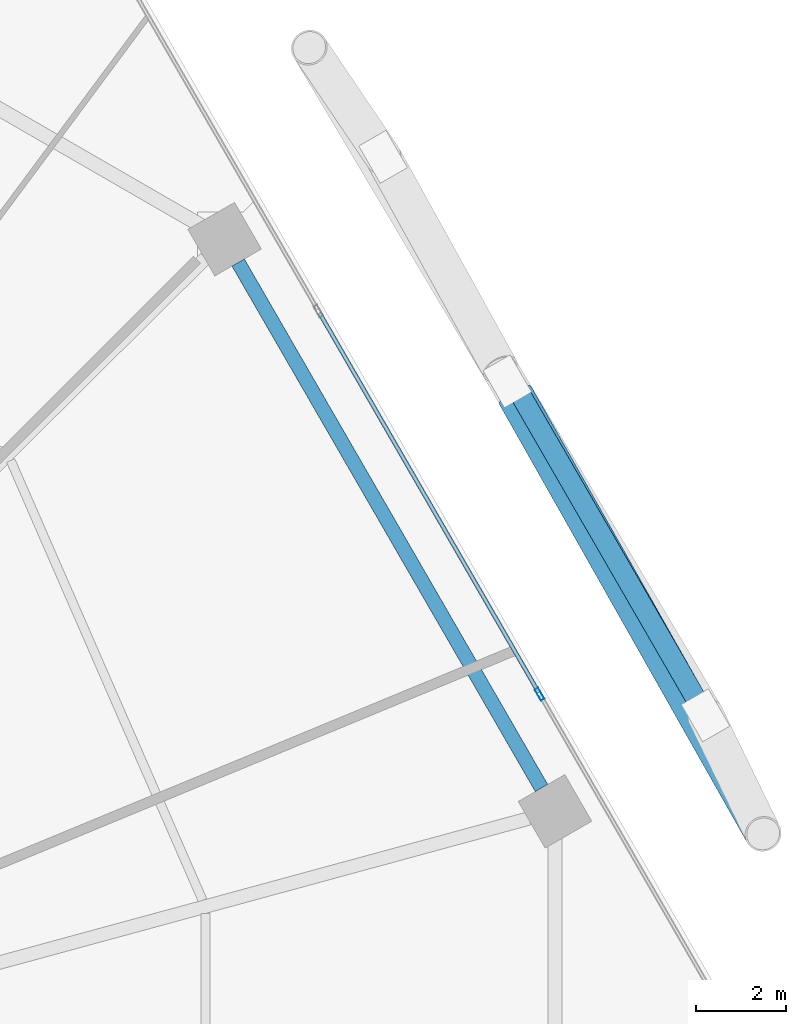
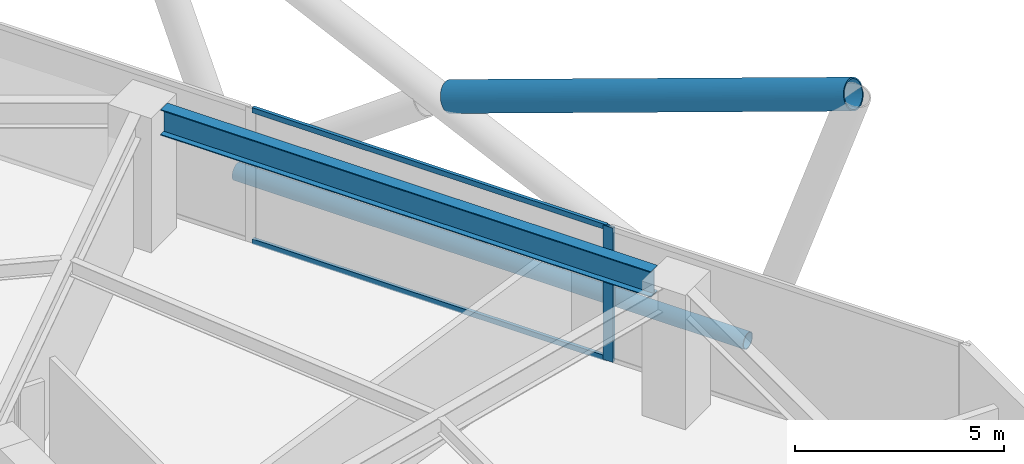
# One storey, part 19 of 28: 5 members, 1 beam, 1 element without a shape of its own.
"""IFC4 building model written with IfcOpenShell, lengths in metres."""

import ifcopenshell
import ifcopenshell.guid

model = None  # the IFC model being written
_history = None  # IfcOwnerHistory: only IFC2X3 demands one
_inside = {}  # id of a spatial element -> (the spatial element, [elements in it])
_under = {}  # id of a project, library or spatial element -> (it, [spatial elements below it])
_declared = {}  # id of a project -> (the project, [libraries it declares])
_typed = {}  # id of a type object -> (the type object, [elements of that type])
_made_of = {}  # id of a material, layer set ... -> (it, [elements and type objects made of it])


def new_model(schema):
    """Start an empty IFC model of exactly this schema.

    Asked for "IFC4X3", IfcOpenShell would pick the latest addendum, in which some entities
    have other attributes; the version numbers below select the first issue.
    IFC2X3 requires an IfcOwnerHistory on every rooted entity: one is made here for all.
    """
    global model, _history
    if schema == "IFC4X3":
        model = ifcopenshell.file(schema_version=(4, 3, 0, 0))
    else:
        model = ifcopenshell.file(schema=schema)
    _inside.clear()
    _under.clear()
    _declared.clear()
    _typed.clear()
    _made_of.clear()
    _history = None
    if model.schema == "IFC2X3":
        org = make("IfcOrganization", Name="unknown")
        user = make(
            "IfcPersonAndOrganization",
            ThePerson=make("IfcPerson", FamilyName="unknown"),
            TheOrganization=org,
        )
        app = make(
            "IfcApplication",
            ApplicationDeveloper=org,
            Version="unknown",
            ApplicationFullName="unknown",
            ApplicationIdentifier="unknown",
        )
        _history = make(
            "IfcOwnerHistory",
            OwningUser=user,
            OwningApplication=app,
            ChangeAction="ADDED",
            CreationDate=0,
        )
    return model


def make(cls, **values):
    """One entity of the class cls with the attributes given. An attribute that is None is left unset."""
    return model.create_entity(
        cls, **{name: value for name, value in values.items() if value is not None}
    )


def rooted(cls, **values):
    """An entity with a GlobalId (a new one), such as an element, a storey or a relation."""
    return make(cls, GlobalId=ifcopenshell.guid.new(), OwnerHistory=_history, **values)


def si_unit(unit_type, name, prefix=None):
    """IfcSIUnit, for example si_unit("LENGTHUNIT", "METRE", prefix="MILLI")."""
    return make("IfcSIUnit", UnitType=unit_type, Prefix=prefix, Name=name)


def assignment(units):
    """IfcUnitAssignment: the units of a project."""
    return None if units is None else make("IfcUnitAssignment", Units=units)


def point(xyz):
    """IfcCartesianPoint."""
    return None if xyz is None else make("IfcCartesianPoint", Coordinates=xyz)


def direction(xyz):
    """IfcDirection."""
    return None if xyz is None else make("IfcDirection", DirectionRatios=xyz)


def frame(location, z_axis=None, x_axis=None):
    """IfcAxis2Placement3D, a coordinate frame: its origin and axes. An axis left out is left unset."""
    return make(
        "IfcAxis2Placement3D",
        Location=point(location),
        Axis=direction(z_axis),
        RefDirection=direction(x_axis),
    )


def frame_2d(location, x_axis=None):
    """IfcAxis2Placement2D, a coordinate frame in the plane: its origin and x axis."""
    return make(
        "IfcAxis2Placement2D", Location=point(location), RefDirection=direction(x_axis)
    )


def origin():
    """The frame at (0, 0, 0) with its axes left unset."""
    return frame((0.0, 0.0, 0.0))


def origin_2d():
    """The frame at (0, 0) in the plane with its x axis left unset."""
    return frame_2d((0.0, 0.0))


def place(relative_to, where):
    """IfcLocalPlacement: puts the frame where relative to a parent placement (None: the world)."""
    return make(
        "IfcLocalPlacement", PlacementRelTo=relative_to, RelativePlacement=where
    )


def context(
    kind, dimensions, precision=None, world=None, true_north=None, identifier=None
):
    """IfcGeometricRepresentationContext, for example the 3D "Model" context."""
    return make(
        "IfcGeometricRepresentationContext",
        ContextIdentifier=identifier,
        ContextType=kind,
        CoordinateSpaceDimension=dimensions,
        Precision=precision,
        WorldCoordinateSystem=world,
        TrueNorth=true_north,
    )


def subcontext(parent, identifier, kind, view, scale=None):
    """IfcGeometricRepresentationSubContext, for example "Body" below "Model"."""
    return make(
        "IfcGeometricRepresentationSubContext",
        ContextIdentifier=identifier,
        ContextType=kind,
        ParentContext=parent,
        TargetScale=scale,
        TargetView=view,
    )


def project(units=None, contexts=None):
    """IfcProject with its units and contexts."""
    return rooted(
        "IfcProject",
        Name="project",
        RepresentationContexts=contexts,
        UnitsInContext=assignment(units),
    )


def spatial(cls, under=None, at=None, **own):
    """A site, building, storey or space (cls), placed at a placement, below another one or the project."""
    s = rooted(cls, ObjectPlacement=at, **own)
    if under is not None:
        _under.setdefault(under.id(), (under, []))[1].append(s)
    return s


def profile(cls, at=None, kind="AREA", **sizes):
    """A parametric profile (cls). Its sizes go by their IFC names, for example OverallWidth=200.0."""
    return make(cls, ProfileType=kind, Position=at, **sizes)


def hollow_rectangle(**sizes):
    """IfcRectangleHollowProfileDef."""
    return profile("IfcRectangleHollowProfileDef", **sizes)


def hollow_circle(**sizes):
    """IfcCircleHollowProfileDef."""
    return profile("IfcCircleHollowProfileDef", **sizes)


def i_section(**sizes):
    """IfcIShapeProfileDef."""
    return profile("IfcIShapeProfileDef", **sizes)


def extrude(swept, where, along, depth):
    """IfcExtrudedAreaSolid: the profile swept, set in the frame where, extruded along a direction by depth."""
    return make(
        "IfcExtrudedAreaSolid",
        SweptArea=swept,
        Position=where,
        ExtrudedDirection=direction(along),
        Depth=depth,
    )


def shape(context_of_items, identifier, shape_type, items):
    """IfcShapeRepresentation: the items that make up one representation, for example the "Body"."""
    return make(
        "IfcShapeRepresentation",
        ContextOfItems=context_of_items,
        RepresentationIdentifier=identifier,
        RepresentationType=shape_type,
        Items=items,
    )


def material(Name=None, Category=None):
    """IfcMaterial."""
    return make("IfcMaterial", Name=Name, Category=Category)


def material_profile(
    of_material, cross_section, Name=None, Category=None, Priority=None
):
    """IfcMaterialProfile: a cross section and its material."""
    return make(
        "IfcMaterialProfile",
        Name=Name,
        Material=of_material,
        Profile=cross_section,
        Priority=Priority,
        Category=Category,
    )


def profile_set(profiles, Name=None, composite=None):
    """IfcMaterialProfileSet."""
    return make(
        "IfcMaterialProfileSet",
        Name=Name,
        MaterialProfiles=profiles,
        CompositeProfile=composite,
    )


def made_of(thing, what):
    """Note that an element or type object is made of a material, layer set ...; save() writes the relation."""
    if what is not None:
        _made_of.setdefault(what.id(), (what, []))[1].append(thing)
    return thing


def type_object(cls, material=None, **own):
    """A type object (cls), such as IfcWallType, which elements share."""
    return made_of(rooted(cls, **own), material)


def element(
    cls,
    number,
    at=None,
    inside=None,
    cuts=None,
    type_object=None,
    material=None,
    context=None,
    identifier="Body",
    shape_type=None,
    held_by="IfcProductDefinitionShape",
    body=None,
    shapes=None,
    **own,
):
    """One element of the class cls, such as IfcWall. Its Tag is "e" and its number.

    at: its placement. inside: the storey or other place that contains it. cuts: it is an
    opening in that element (IfcRelVoidsElement). A single representation is given by context,
    identifier, shape_type and body (its items); several are given by shapes. held_by: the class
    of the entity that holds the representations. save() writes the other relations.
    """
    e = rooted(cls, Tag="e%d" % number, ObjectPlacement=at, **own)
    if body is not None:
        shapes = [shape(context, identifier, shape_type, body)]
    if shapes is not None:
        e.Representation = make(held_by, Representations=shapes)
    if inside is not None:
        _inside.setdefault(inside.id(), (inside, []))[1].append(e)
    if cuts is not None:
        rooted(
            "IfcRelVoidsElement", RelatingBuildingElement=cuts, RelatedOpeningElement=e
        )
    if type_object is not None:
        _typed.setdefault(type_object.id(), (type_object, []))[1].append(e)
    return made_of(e, material)


def aggregate(whole, parts):
    """IfcRelAggregates: a whole, such as a stair, and the parts it consists of."""
    return rooted("IfcRelAggregates", RelatingObject=whole, RelatedObjects=parts)


def save(model, path):
    """Write the relations noted so far, then the file.

    IfcRelAggregates (storeys below a building ...), IfcRelContainedInSpatialStructure (elements
    in a storey), IfcRelDefinesByType, IfcRelAssociatesMaterial and IfcRelDeclares: one each for
    every whole, place, type object, material and project.
    """
    for whole, parts in _under.values():
        aggregate(whole, parts)
    for where, things in _inside.values():
        rooted(
            "IfcRelContainedInSpatialStructure",
            RelatedElements=things,
            RelatingStructure=where,
        )
    for kind, things in _typed.values():
        rooted("IfcRelDefinesByType", RelatedObjects=things, RelatingType=kind)
    for what, things in _made_of.values():
        rooted("IfcRelAssociatesMaterial", RelatedObjects=things, RelatingMaterial=what)
    for by, libraries in _declared.values():
        rooted("IfcRelDeclares", RelatingContext=by, RelatedDefinitions=libraries)
    model.write(path)


model = new_model("IFC4")

# Units and contexts
model_context = context("Model", 3, precision=1e-05, world=origin(), true_north=direction((0.0, 1.0)))
body_context = subcontext(model_context, "Body", "Model", "MODEL_VIEW")
ifc_project = project(units=[si_unit("LENGTHUNIT", "METRE"), si_unit("AREAUNIT", "SQUARE_METRE"), si_unit("VOLUMEUNIT", "CUBIC_METRE"), si_unit("PLANEANGLEUNIT", "RADIAN"), si_unit("MASSUNIT", "GRAM", prefix="KILO")], contexts=[model_context])

# Site, building, storey
site_placement = place(None, origin())
site = spatial("IfcSite", under=ifc_project, at=site_placement, CompositionType="ELEMENT")
building_placement = place(site_placement, origin())
building = spatial("IfcBuilding", under=site, at=building_placement, Name="Zuhravey Tower", CompositionType="ELEMENT")
storey_placement = place(building_placement, frame((0.0, 0.0, 66.60009765625)))
storey = spatial("IfcBuildingStorey", under=building, at=storey_placement, Name="L16", CompositionType="ELEMENT", Elevation=66.60009765625)

# Curtain wall, members
ifc_material_1 = material(Name="Thermally broken anodised aluminium", Category="aluminium")
curtain_wall_type = type_object("IfcCurtainWallType", Name="School Low-E Unitised Curtain Wall CW1", PredefinedType="NOTDEFINED", material=ifc_material_1)
curtain_wall_placement = place(storey_placement, origin())
curtain_wall = element("IfcCurtainWall", 1, at=curtain_wall_placement, inside=storey, type_object=curtain_wall_type, Name="L16 CW1 CW-L16-F1-1", PredefinedType="NOTDEFINED")
ifc_material_2 = material(Name="Anodised aluminium", Category="aluminium")
ifc_material_profile_1 = material_profile(ifc_material_2, hollow_rectangle(XDim=0.090087890625, YDim=0.284912109375, WallThickness=0.0048828125, at=origin_2d()), Name="ALU-RHS-90x285x5")
ifc_profile_set_1 = profile_set([ifc_material_profile_1], Name="Anodised aluminium")
member_type_1 = type_object("IfcMemberType", Name="Curtain-Wall Mullion 90x180", PredefinedType="MULLION", material=ifc_profile_set_1)
member_1_placement = place(storey_placement, frame((63.54541015625, 42.20703125, 0.0), z_axis=(0.0, 0.0, 1.0), x_axis=(0.86602552265, 0.499999794119, 0.0)))
member_1 = element("IfcMember", 2, at=member_1_placement, type_object=member_type_1, Name="CW1 mullion 3", PredefinedType="MULLION", context=body_context, shape_type="SweptSolid", body=[
    extrude(hollow_rectangle(XDim=0.090087890625, YDim=0.284912109375, WallThickness=0.0048828125, at=origin_2d()), origin(), (0.0, 0.0, 1.0), 3.919921875),
])
ifc_material_profile_2 = material_profile(ifc_material_2, hollow_rectangle(XDim=0.090087890625, YDim=0.14990234375, WallThickness=0.0048828125, at=origin_2d()), Name="ALU-RHS-90x150x5")
ifc_profile_set_2 = profile_set([ifc_material_profile_2], Name="Anodised aluminium")
member_type_2 = type_object("IfcMemberType", Name="Curtain-Wall Transom 90x150", PredefinedType="USERDEFINED", material=ifc_profile_set_2)
member_2_placement = place(storey_placement, frame((58.634765625, 50.712646484375, 0.044921875), z_axis=(0.499990498062, -0.866030889661, 0.0), x_axis=(0.866030889661, 0.499990498062, 0.0)))
member_2 = element("IfcMember", 3, at=member_2_placement, type_object=member_type_2, Name="CW1 transom 2.1", ObjectType="TRANSOM", PredefinedType="USERDEFINED", context=body_context, shape_type="SweptSolid", body=[
    extrude(hollow_rectangle(XDim=0.090087890625, YDim=0.14990234375, WallThickness=0.0048828125, at=origin_2d()), origin(), (0.0, 0.0, 1.0), 9.776611328125),
])
member_3_placement = place(storey_placement, frame((58.634765625, 50.712646484375, 3.875), z_axis=(0.499990498062, -0.866030889661, 0.0), x_axis=(0.866030889661, 0.499990498062, 0.0)))
member_3 = element("IfcMember", 4, at=member_3_placement, type_object=member_type_2, Name="CW1 transom 2.2", ObjectType="TRANSOM", PredefinedType="USERDEFINED", context=body_context, shape_type="SweptSolid", body=[
    extrude(hollow_rectangle(XDim=0.090087890625, YDim=0.14990234375, WallThickness=0.0048828125, at=origin_2d()), origin(), (0.0, 0.0, 1.0), 9.776611328125),
])
aggregate(curtain_wall, [member_1, member_2, member_3])

# Members
ifc_material_3 = material(Name="Steel SM355", Category="steel")
ifc_material_profile_3 = material_profile(ifc_material_3, hollow_circle(Radius=0.228515625, WallThickness=0.02197265625, at=origin_2d()), Name="CHS-457.2x22")
ifc_profile_set_3 = profile_set([ifc_material_profile_3], Name="Steel SM355")
member_type_3 = type_object("IfcMemberType", Name="Exoskeleton Ring Tie CHS457x22", PredefinedType="CHORD", material=ifc_profile_set_3)
member_4_placement = place(storey_placement, frame((67.177734375, 41.85546875, -0.494140625), z_axis=(-0.499995593262, 0.866027948001, 0.0), x_axis=(-0.866027948001, -0.499995593262, 0.0)))
element("IfcMember", 5, at=member_4_placement, inside=storey, type_object=member_type_3, Name="L16 Exoskeleton Face 1 Tie EXR1", PredefinedType="CHORD", context=body_context, shape_type="SweptSolid", body=[
    extrude(hollow_circle(Radius=0.228515625, WallThickness=0.02197265625, at=origin_2d()), origin(), (0.0, 0.0, 1.0), 14.107666015625),
])
ifc_material_4 = material(Name="Steel SM460", Category="steel")
ifc_material_profile_4 = material_profile(ifc_material_4, hollow_circle(Radius=0.406494140625, WallThickness=0.035888671875, at=origin_2d()), Name="CHS-812.8x36")
ifc_profile_set_4 = profile_set([ifc_material_profile_4], Name="Steel SM460")
member_type_4 = type_object("IfcMemberType", Name="Exoskeleton Zone 1 Diagrid CHS813x36", PredefinedType="BRACE", material=ifc_profile_set_4)
member_5_placement = place(storey_placement, frame((63.0078125, 48.861572265625, 3.8408203125), z_axis=(0.462787544218, -0.818588555867, 0.340206503642), x_axis=(0.87051406617, 0.492143536582, 0.0)))
element("IfcMember", 6, at=member_5_placement, inside=storey, type_object=member_type_4, Name="L16 Face 1 Split Diagrid Brace 3B", PredefinedType="BRACE", context=body_context, shape_type="SweptSolid", body=[
    extrude(hollow_circle(Radius=0.406494140625, WallThickness=0.035888671875, at=origin_2d()), origin(), (0.0, 0.0, 1.0), 11.898193359375),
])

# Beam
ifc_material_profile_5 = material_profile(ifc_material_3, i_section(OverallWidth=0.320068359375, OverallDepth=0.75, WebThickness=0.013916015625, FlangeThickness=0.02490234375, at=origin_2d()), Name="H-750x320x14x25")
ifc_profile_set_5 = profile_set([ifc_material_profile_5], Name="Steel SM355")
beam_type = type_object("IfcBeamType", Name="Perimeter Ring Beam H750x320", PredefinedType="BEAM", material=ifc_profile_set_5)
beam_placement = place(storey_placement, frame((63.587646484375, 40.11376953125, 3.544921875), z_axis=(-0.499999877243, 0.866025474658, 0.0), x_axis=(-0.866025474658, -0.499999877243, 0.0)))
element("IfcBeam", 7, at=beam_placement, inside=storey, type_object=beam_type, Name="L16 PB1 BM-L16-PB-01", PredefinedType="BEAM", context=body_context, shape_type="SweptSolid", body=[
    extrude(i_section(OverallWidth=0.320068359375, OverallDepth=0.75, WebThickness=0.013916015625, FlangeThickness=0.02490234375, at=origin_2d()), origin(), (0.0, 0.0, 1.0), 13.5341796875),
])

save(model, "model.ifc")
